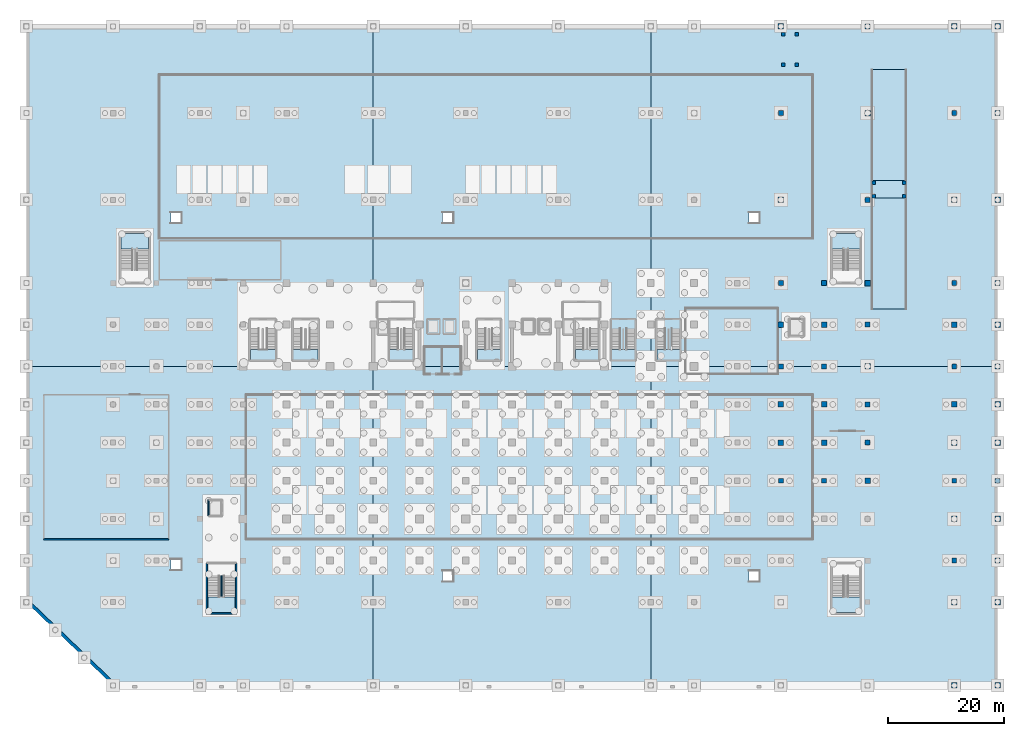
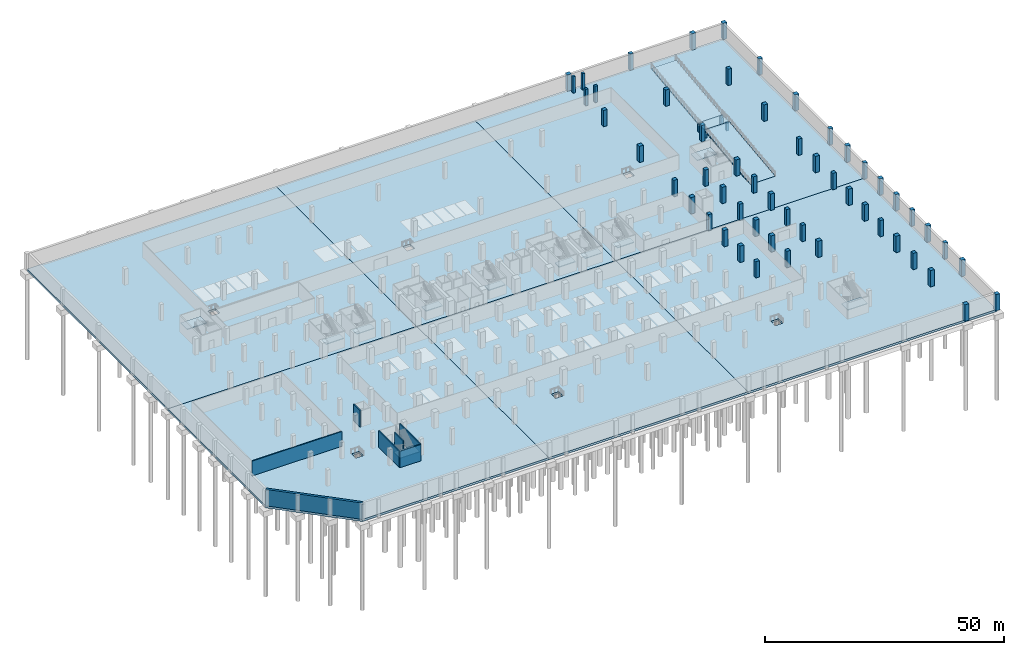
# One storey, part 6 of 26: 58 columns, 20 slabs, 7 walls, 11 elements without a shape of their own.
"""IFC4 building model written with IfcOpenShell, lengths in metres."""

from ifc_helpers import new_model, si_unit, direction, frame, frame_2d, origin, origin_2d, place, context, subcontext, project, spatial, polyline, rectangle, outline, extrude, material, layer, layer_set, material_profile, profile_set, type_object, element, aggregate, save


model = new_model("IFC4")

# Units and contexts
model_context = context("Model", 3, precision=1e-05, world=origin(), true_north=direction((0.0, 1.0)))
body_context = subcontext(model_context, "Body", "Model", "MODEL_VIEW")
ifc_project = project(units=[si_unit("LENGTHUNIT", "METRE"), si_unit("AREAUNIT", "SQUARE_METRE"), si_unit("VOLUMEUNIT", "CUBIC_METRE"), si_unit("PLANEANGLEUNIT", "RADIAN"), si_unit("MASSUNIT", "GRAM", prefix="KILO")], contexts=[model_context])

# Site, building, storey
site_placement = place(None, origin())
site = spatial("IfcSite", under=ifc_project, at=site_placement, CompositionType="ELEMENT")
building_placement = place(site_placement, origin())
building = spatial("IfcBuilding", under=site, at=building_placement, Name="Akrevak Sports Hall", CompositionType="ELEMENT")
storey_placement = place(building_placement, frame((0.0, 0.0, -9.0)))
storey = spatial("IfcBuildingStorey", under=building, at=storey_placement, Name="B02", CompositionType="ELEMENT", Elevation=-9.0)

# Columns
ifc_material_1 = material(Name="Concrete C40/50", Category="concrete")
ifc_material_profile_1 = material_profile(ifc_material_1, rectangle(XDim=0.60009765625, YDim=0.60009765625, at=origin_2d()), Name="RC 600x600", Category="concrete")
ifc_profile_set_1 = profile_set([ifc_material_profile_1], Name="Concrete C40/50")
column_type_1 = type_object("IfcColumnType", Name="STR-COL-RC600", PredefinedType="COLUMN", material=ifc_profile_set_1)
for number, where, z_axis, x_axis, name in (
    (1, (146.550048828125, 84.64990234375, 0.0), (0.0, 0.0, 1.0), (1.0, 0.0, 0.0), "Ramp R1 Mid-Landing Pier 1 (B02)"),
    (2, (151.85009765625, 84.64990234375, 0.0), (0.0, 0.0, 1.0), (1.0, 0.0, 0.0), "Ramp R1 Mid-Landing Pier 2 (B02)"),
    (3, (146.550048828125, 86.949951171875, 0.0), (0.0, 0.0, 1.0), (1.0, 0.0, 0.0), "Ramp R1 Mid-Landing Pier 3 (B02)"),
    (4, (151.85009765625, 86.949951171875, 0.0), (0.0, 0.0, 1.0), (1.0, 0.0, 0.0), "Ramp R1 Mid-Landing Pier 4 (B02)"),
):
    element("IfcColumn", number, at=place(storey_placement, frame(where, z_axis=z_axis, x_axis=x_axis)), inside=storey, type_object=column_type_1, Name=name, PredefinedType="COLUMN", context=body_context, shape_type="SweptSolid", body=[
        extrude(rectangle(XDim=0.60009765625, YDim=0.60009765625, at=origin_2d()), origin(), (0.0, 0.0, 1.0), 1.969970703125),
    ])
for number, where, z_axis, x_axis, name in (
    (5, (130.949951171875, 107.35009765625, 0.0), (0.0, 0.0, 1.0), (1.0, 0.0, 0.0), "Ramp R2 Support Pier 1 (B02)"),
    (6, (133.25, 107.35009765625, 0.0), (0.0, 0.0, 1.0), (1.0, 0.0, 0.0), "Ramp R2 Support Pier 2 (B02)"),
    (7, (130.949951171875, 112.64990234375, 0.0), (0.0, 0.0, 1.0), (1.0, 0.0, 0.0), "Ramp R2 Support Pier 3 (B02)"),
    (8, (133.25, 112.64990234375, 0.0), (0.0, 0.0, 1.0), (1.0, 0.0, 0.0), "Ramp R2 Support Pier 4 (B02)"),
):
    element("IfcColumn", number, at=place(storey_placement, frame(where, z_axis=z_axis, x_axis=x_axis)), inside=storey, type_object=column_type_1, Name=name, PredefinedType="COLUMN", context=body_context, shape_type="SweptSolid", body=[
        extrude(rectangle(XDim=0.60009765625, YDim=0.60009765625, at=origin_2d()), origin(), (0.0, 0.0, 1.0), 4.179931640625),
    ])
ifc_material_profile_2 = material_profile(ifc_material_1, rectangle(XDim=0.85009765625, YDim=0.85009765625, at=origin_2d()), Name="RC 850x850", Category="concrete")
ifc_profile_set_2 = profile_set([ifc_material_profile_2], Name="Concrete C40/50")
column_type_2 = type_object("IfcColumnType", Name="STR-COL-RC850", PredefinedType="COLUMN", material=ifc_profile_set_2)
for number, where, z_axis, x_axis, name in (
    (9, (130.5, 35.39990234375, 0.0), (0.0, 0.0, 1.0), (1.0, 0.0, 0.0), "Column 18/F (B02)"),
    (10, (130.5, 55.199951171875, 0.0), (0.0, 0.0, 1.0), (1.0, 0.0, 0.0), "Column 18/I (B02)"),
    (11, (130.5, 69.60009765625, 0.0), (0.0, 0.0, 1.0), (1.0, 0.0, 0.0), "Column 18/K (B02)"),
    (12, (130.5, 99.0, 0.0), (0.0, 0.0, 1.0), (1.0, 0.0, 0.0), "Column 18/O (B02)"),
    (13, (138.0, 35.39990234375, 0.0), (0.0, 0.0, 1.0), (1.0, 0.0, 0.0), "Column 19/F (B02)"),
    (14, (138.0, 55.199951171875, 0.0), (0.0, 0.0, 1.0), (1.0, 0.0, 0.0), "Column 19/I (B02)"),
    (15, (138.0, 69.60009765625, 0.0), (0.0, 0.0, 1.0), (1.0, 0.0, 0.0), "Column 19/K (B02)"),
    (16, (145.5, 42.0, 0.0), (0.0, 0.0, 1.0), (1.0, 0.0, 0.0), "Column 20/G (B02)"),
    (17, (145.5, 48.60009765625, 0.0), (0.0, 0.0, 1.0), (1.0, 0.0, 0.0), "Column 20/H (B02)"),
    (18, (145.5, 62.39990234375, 0.0), (0.0, 0.0, 1.0), (1.0, 0.0, 0.0), "Column 20/J (B02)"),
    (19, (145.5, 84.0, 0.0), (0.0, 0.0, 1.0), (1.0, 0.0, 0.0), "Column 20/M (B02)"),
    (20, (145.5, 114.0, 0.0), (0.0, 0.0, 1.0), (1.0, 0.0, 0.0), "Column 20/Q (B02)"),
    (21, (160.5, 21.60009765625, 0.0), (0.0, 0.0, 1.0), (1.0, 0.0, 0.0), "Column 22/D (B02)"),
    (22, (160.5, 35.39990234375, 0.0), (0.0, 0.0, 1.0), (1.0, 0.0, 0.0), "Column 22/F (B02)"),
    (23, (160.5, 55.199951171875, 0.0), (0.0, 0.0, 1.0), (1.0, 0.0, 0.0), "Column 22/I (B02)"),
    (24, (160.5, 69.60009765625, 0.0), (0.0, 0.0, 1.0), (1.0, 0.0, 0.0), "Column 22/K (B02)"),
    (25, (160.5, 99.0, 0.0), (0.0, 0.0, 1.0), (1.0, 0.0, 0.0), "Column 22/O (B02)"),
    (26, (168.0, 21.60009765625, 0.0), (0.0, 0.0, 1.0), (1.0, 0.0, 0.0), "Column 23/D (B02)"),
    (27, (168.0, 35.39990234375, 0.0), (0.0, 0.0, 1.0), (1.0, 0.0, 0.0), "Column 23/F (B02)"),
    (28, (168.0, 55.199951171875, 0.0), (0.0, 0.0, 1.0), (1.0, 0.0, 0.0), "Column 23/I (B02)"),
    (29, (168.0, 69.60009765625, 0.0), (0.0, 0.0, 1.0), (1.0, 0.0, 0.0), "Column 23/K (B02)"),
    (30, (168.0, 99.0, 0.0), (0.0, 0.0, 1.0), (1.0, 0.0, 0.0), "Column 23/O (B02)"),
):
    element("IfcColumn", number, at=place(storey_placement, frame(where, z_axis=z_axis, x_axis=x_axis)), inside=storey, type_object=column_type_2, Name=name, PredefinedType="COLUMN", context=body_context, shape_type="SweptSolid", body=[
        extrude(rectangle(XDim=0.85009765625, YDim=0.85009765625, at=origin_2d()), origin(), (0.0, 0.0, 1.0), 4.179931640625),
    ])
ifc_material_2 = material(Name="Concrete C50/60", Category="concrete")
ifc_material_profile_3 = material_profile(ifc_material_2, rectangle(XDim=0.949951171875, YDim=0.949951171875, at=origin_2d()), Name="RC 950x950", Category="concrete")
ifc_profile_set_3 = profile_set([ifc_material_profile_3], Name="Concrete C50/60")
column_type_3 = type_object("IfcColumnType", Name="STR-COL-RC950", PredefinedType="COLUMN", material=ifc_profile_set_3)
for number, where, z_axis, x_axis, name in (
    (31, (130.5, 42.0, 0.0), (0.0, 0.0, 1.0), (1.0, 0.0, 0.0), "Column 18/G (B02)"),
    (32, (130.5, 48.60009765625, 0.0), (0.0, 0.0, 1.0), (1.0, 0.0, 0.0), "Column 18/H (B02)"),
    (33, (130.5, 62.39990234375, 0.0), (0.0, 0.0, 1.0), (1.0, 0.0, 0.0), "Column 18/J (B02)"),
    (34, (130.5, 84.0, 0.0), (0.0, 0.0, 1.0), (1.0, 0.0, 0.0), "Column 18/M (B02)"),
    (35, (130.5, 114.0, 0.0), (0.0, 0.0, 1.0), (1.0, 0.0, 0.0), "Column 18/Q (B02)"),
    (36, (138.0, 42.0, 0.0), (0.0, 0.0, 1.0), (1.0, 0.0, 0.0), "Column 19/G (B02)"),
    (37, (138.0, 48.60009765625, 0.0), (0.0, 0.0, 1.0), (1.0, 0.0, 0.0), "Column 19/H (B02)"),
    (38, (138.0, 62.39990234375, 0.0), (0.0, 0.0, 1.0), (1.0, 0.0, 0.0), "Column 19/J (B02)"),
    (39, (145.5, 35.39990234375, 0.0), (0.0, 0.0, 1.0), (1.0, 0.0, 0.0), "Column 20/F (B02)"),
    (40, (145.5, 55.199951171875, 0.0), (0.0, 0.0, 1.0), (1.0, 0.0, 0.0), "Column 20/I (B02)"),
    (41, (145.5, 69.60009765625, 0.0), (0.0, 0.0, 1.0), (1.0, 0.0, 0.0), "Column 20/K (B02)"),
    (42, (145.5, 99.0, 0.0), (0.0, 0.0, 1.0), (1.0, 0.0, 0.0), "Column 20/O (B02)"),
    (43, (160.5, 0.0, 0.0), (0.0, 0.0, 1.0), (1.0, 0.0, 0.0), "Column 22/A (B02)"),
    (44, (160.5, 14.39990234375, 0.0), (0.0, 0.0, 1.0), (1.0, 0.0, 0.0), "Column 22/C (B02)"),
    (45, (160.5, 28.800048828125, 0.0), (0.0, 0.0, 1.0), (1.0, 0.0, 0.0), "Column 22/E (B02)"),
    (46, (160.5, 42.0, 0.0), (0.0, 0.0, 1.0), (1.0, 0.0, 0.0), "Column 22/G (B02)"),
    (47, (160.5, 48.60009765625, 0.0), (0.0, 0.0, 1.0), (1.0, 0.0, 0.0), "Column 22/H (B02)"),
    (48, (160.5, 62.39990234375, 0.0), (0.0, 0.0, 1.0), (1.0, 0.0, 0.0), "Column 22/J (B02)"),
    (49, (160.5, 84.0, 0.0), (0.0, 0.0, 1.0), (1.0, 0.0, 0.0), "Column 22/M (B02)"),
    (50, (160.5, 114.0, 0.0), (0.0, 0.0, 1.0), (1.0, 0.0, 0.0), "Column 22/Q (B02)"),
    (51, (168.0, 0.0, 0.0), (0.0, 0.0, 1.0), (1.0, 0.0, 0.0), "Column 23/A (B02)"),
    (52, (168.0, 14.39990234375, 0.0), (0.0, 0.0, 1.0), (1.0, 0.0, 0.0), "Column 23/C (B02)"),
    (53, (168.0, 28.800048828125, 0.0), (0.0, 0.0, 1.0), (1.0, 0.0, 0.0), "Column 23/E (B02)"),
    (54, (168.0, 42.0, 0.0), (0.0, 0.0, 1.0), (1.0, 0.0, 0.0), "Column 23/G (B02)"),
    (55, (168.0, 48.60009765625, 0.0), (0.0, 0.0, 1.0), (1.0, 0.0, 0.0), "Column 23/H (B02)"),
    (56, (168.0, 62.39990234375, 0.0), (0.0, 0.0, 1.0), (1.0, 0.0, 0.0), "Column 23/J (B02)"),
    (57, (168.0, 84.0, 0.0), (0.0, 0.0, 1.0), (1.0, 0.0, 0.0), "Column 23/M (B02)"),
    (58, (168.0, 114.0, 0.0), (0.0, 0.0, 1.0), (1.0, 0.0, 0.0), "Column 23/Q (B02)"),
):
    element("IfcColumn", number, at=place(storey_placement, frame(where, z_axis=z_axis, x_axis=x_axis)), inside=storey, type_object=column_type_3, Name=name, PredefinedType="COLUMN", context=body_context, shape_type="SweptSolid", body=[
        extrude(rectangle(XDim=0.949951171875, YDim=0.949951171875, at=origin_2d()), origin(), (0.0, 0.0, 1.0), 4.179931640625),
    ])

# Slabs
ifc_layer_1 = layer(ifc_material_1, 0.550048828125, Name="Concrete C40/50")
ifc_layer_set_1 = layer_set([ifc_layer_1], Name="Concrete C40/50")
slab_type_1 = type_object("IfcSlabType", Name="STR-SLB-BASE-550", PredefinedType="BASESLAB", material=ifc_layer_set_1)
slab_1_placement = place(storey_placement, frame((0.0, 0.0, -0.550048828125)))
element("IfcSlab", 59, at=slab_1_placement, inside=storey, type_object=slab_type_1, Name="Structural Floor Slab B02-1.1", PredefinedType="BASESLAB", context=body_context, shape_type="SweptSolid", body=[
    extrude(outline(polyline([(0.0, 14.39990234375), (15.0, 0.0), (60.0, 0.0), (60.0, 55.199951171875), (0.0, 55.199951171875), (0.0, 14.39990234375)]), holes=[polyline([(25.0, 21.800048828125), (26.800048828125, 21.800048828125), (26.800048828125, 20.0), (25.0, 20.0), (25.0, 21.800048828125)])]), origin(), (0.0, 0.0, 1.0), 0.550048828125),
])
slab_2_placement = place(storey_placement, frame((0.0, 0.0, -0.550048828125)))
element("IfcSlab", 60, at=slab_2_placement, inside=storey, type_object=slab_type_1, Name="Structural Floor Slab B02-2.1", PredefinedType="BASESLAB", context=body_context, shape_type="SweptSolid", body=[
    extrude(outline(polyline([(0.0, 55.199951171875), (60.0, 55.199951171875), (60.0, 114.0), (0.0, 114.0), (0.0, 55.199951171875)]), holes=[polyline([(25.0, 80.0), (25.0, 81.800048828125), (26.800048828125, 81.800048828125), (26.800048828125, 80.0), (25.0, 80.0)])]), origin(), (0.0, 0.0, 1.0), 0.550048828125),
])
slab_3_placement = place(storey_placement, frame((0.0, 0.0, -0.550048828125)))
element("IfcSlab", 61, at=slab_3_placement, inside=storey, type_object=slab_type_1, Name="Structural Floor Slab B02-3.1", PredefinedType="BASESLAB", context=body_context, shape_type="SweptSolid", body=[
    extrude(outline(polyline([(108.0, 0.0), (108.0, 55.199951171875), (60.0, 55.199951171875), (60.0, 0.0), (108.0, 0.0)]), holes=[polyline([(72.0, 18.0), (72.0, 19.800048828125), (73.800048828125, 19.800048828125), (73.800048828125, 18.0), (72.0, 18.0)])]), origin(), (0.0, 0.0, 1.0), 0.550048828125),
])
slab_4_placement = place(storey_placement, frame((0.0, 0.0, -0.550048828125)))
element("IfcSlab", 62, at=slab_4_placement, inside=storey, type_object=slab_type_1, Name="Structural Floor Slab B02-4.1", PredefinedType="BASESLAB", context=body_context, shape_type="SweptSolid", body=[
    extrude(outline(polyline([(60.0, 114.0), (60.0, 55.199951171875), (108.0, 55.199951171875), (108.0, 114.0), (60.0, 114.0)]), holes=[polyline([(72.0, 81.800048828125), (73.800048828125, 81.800048828125), (73.800048828125, 80.0), (72.0, 80.0), (72.0, 81.800048828125)])]), origin(), (0.0, 0.0, 1.0), 0.550048828125),
])
slab_5_placement = place(storey_placement, frame((0.0, 0.0, -0.550048828125)))
element("IfcSlab", 63, at=slab_5_placement, inside=storey, type_object=slab_type_1, Name="Structural Floor Slab B02-5.1", PredefinedType="BASESLAB", context=body_context, shape_type="SweptSolid", body=[
    extrude(outline(polyline([(168.0, 55.199951171875), (108.0, 55.199951171875), (108.0, 0.0), (168.0, 0.0), (168.0, 55.199951171875)]), holes=[polyline([(125.0, 19.800048828125), (126.800048828125, 19.800048828125), (126.800048828125, 18.0), (125.0, 18.0), (125.0, 19.800048828125)])]), origin(), (0.0, 0.0, 1.0), 0.550048828125),
])
slab_6_placement = place(storey_placement, frame((0.0, 0.0, -0.550048828125)))
element("IfcSlab", 64, at=slab_6_placement, inside=storey, type_object=slab_type_1, Name="Structural Floor Slab B02-6.1", PredefinedType="BASESLAB", context=body_context, shape_type="SweptSolid", body=[
    extrude(outline(polyline([(108.0, 114.0), (108.0, 55.199951171875), (168.0, 55.199951171875), (168.0, 114.0), (108.0, 114.0)]), holes=[polyline([(125.0, 81.800048828125), (126.800048828125, 81.800048828125), (126.800048828125, 80.0), (125.0, 80.0), (125.0, 81.800048828125)])]), origin(), (0.0, 0.0, 1.0), 0.550048828125),
])

# Stair, slab
stair_type_1 = type_object("IfcStairType", Name="ARC-STR-DOG-450", PredefinedType="HALF_TURN_STAIR", material=ifc_material_1)
stair_1_placement = place(storey_placement, origin())
stair_1 = element("IfcStair", 65, at=stair_1_placement, inside=storey, type_object=stair_type_1, Name="Protected Exit Stair ST1 (B02 to B01)", PredefinedType="HALF_TURN_STAIR")
ifc_layer_2 = layer(ifc_material_1, 0.199951171875, Name="Concrete C40/50")
ifc_layer_set_2 = layer_set([ifc_layer_2], Name="Concrete C40/50")
slab_type_2 = type_object("IfcSlabType", Name="STR-SLB-LAND-200", PredefinedType="LANDING", material=ifc_layer_set_2)
slab_7_placement = place(storey_placement, frame((0.0, 0.0, 2.050048828125)))
slab_7 = element("IfcSlab", 66, at=slab_7_placement, type_object=slab_type_2, Name="Stair ST1 Half-Landing 1 (B02)", PredefinedType="LANDING", context=body_context, shape_type="SweptSolid", body=[
    extrude(outline(polyline([(62.85009765625, 56.300048828125), (66.85009765625, 56.300048828125), (66.85009765625, 58.094970703125), (62.85009765625, 58.094970703125), (62.85009765625, 56.300048828125)])), origin(), (0.0, 0.0, 1.0), 0.199951171875),
])
aggregate(stair_1, [slab_7])

stair_2_placement = place(storey_placement, origin())
stair_2 = element("IfcStair", 67, at=stair_2_placement, inside=storey, type_object=stair_type_1, Name="Protected Exit Stair ST2 (B02 to B01)", PredefinedType="HALF_TURN_STAIR")
slab_8_placement = place(storey_placement, frame((0.0, 0.0, 2.050048828125)))
slab_8 = element("IfcSlab", 68, at=slab_8_placement, type_object=slab_type_2, Name="Stair ST2 Half-Landing 1 (B02)", PredefinedType="LANDING", context=body_context, shape_type="SweptSolid", body=[
    extrude(outline(polyline([(94.949951171875, 56.300048828125), (98.949951171875, 56.300048828125), (98.949951171875, 58.094970703125), (94.949951171875, 58.094970703125), (94.949951171875, 56.300048828125)])), origin(), (0.0, 0.0, 1.0), 0.199951171875),
])
aggregate(stair_2, [slab_8])

stair_3_placement = place(storey_placement, origin())
stair_3 = element("IfcStair", 69, at=stair_3_placement, inside=storey, type_object=stair_type_1, Name="Protected Exit Stair ST3 (B02 to B01)", PredefinedType="HALF_TURN_STAIR")
slab_9_placement = place(storey_placement, frame((0.0, 0.0, 2.050048828125)))
slab_9 = element("IfcSlab", 70, at=slab_9_placement, type_object=slab_type_2, Name="Stair ST3 Half-Landing 1 (B02)", PredefinedType="LANDING", context=body_context, shape_type="SweptSolid", body=[
    extrude(outline(polyline([(78.0, 56.300048828125), (82.0, 56.300048828125), (82.0, 58.094970703125), (78.0, 58.094970703125), (78.0, 56.300048828125)])), origin(), (0.0, 0.0, 1.0), 0.199951171875),
])
aggregate(stair_3, [slab_9])

stair_type_2 = type_object("IfcStairType", Name="ARC-STR-MDOG-450", PredefinedType="HALF_TURN_STAIR", material=ifc_material_1)
stair_4_placement = place(storey_placement, origin())
stair_4 = element("IfcStair", 71, at=stair_4_placement, inside=storey, type_object=stair_type_2, Name="Protected Exit Stair ST4 (B02 to B01)", PredefinedType="HALF_TURN_STAIR")
slab_10_placement = place(storey_placement, frame((0.0, 0.0, 2.050048828125)))
slab_10 = element("IfcSlab", 72, at=slab_10_placement, type_object=slab_type_2, Name="Stair ST4 Half-Landing 1 (B02)", PredefinedType="LANDING", context=body_context, shape_type="SweptSolid", body=[
    extrude(outline(polyline([(46.14990234375, 56.300048828125), (50.449951171875, 56.300048828125), (50.449951171875, 58.094970703125), (46.14990234375, 58.094970703125), (46.14990234375, 56.300048828125)])), origin(), (0.0, 0.0, 1.0), 0.199951171875),
])
aggregate(stair_4, [slab_10])

stair_type_3 = type_object("IfcStairType", Name="ARC-STR-PDOG-450", PredefinedType="HALF_TURN_STAIR", material=ifc_material_1)
stair_5_placement = place(storey_placement, origin())
stair_5 = element("IfcStair", 73, at=stair_5_placement, inside=storey, type_object=stair_type_3, Name="Podium SW Exit Stair ST5 (B02 to B01)", PredefinedType="HALF_TURN_STAIR")
slab_11_placement = place(storey_placement, frame((0.0, 0.0, 2.050048828125)))
slab_11 = element("IfcSlab", 74, at=slab_11_placement, type_object=slab_type_2, Name="Stair ST5 Half-Landing 1 (B02)", PredefinedType="LANDING", context=body_context, shape_type="SweptSolid", body=[
    extrude(outline(polyline([(31.35009765625, 12.60009765625), (36.14990234375, 12.60009765625), (36.14990234375, 15.31005859375), (31.35009765625, 15.31005859375), (31.35009765625, 12.60009765625)])), origin(), (0.0, 0.0, 1.0), 0.199951171875),
])
aggregate(stair_5, [slab_11])

stair_6_placement = place(storey_placement, origin())
stair_6 = element("IfcStair", 75, at=stair_6_placement, inside=storey, type_object=stair_type_3, Name="Podium NW Exit Stair ST6 (B02 to B01)", PredefinedType="HALF_TURN_STAIR")
slab_12_placement = place(storey_placement, frame((0.0, 0.0, 2.050048828125)))
slab_12 = element("IfcSlab", 76, at=slab_12_placement, type_object=slab_type_2, Name="Stair ST6 Half-Landing 1 (B02)", PredefinedType="LANDING", context=body_context, shape_type="SweptSolid", body=[
    extrude(outline(polyline([(16.35009765625, 75.489990234375), (21.14990234375, 75.489990234375), (21.14990234375, 78.199951171875), (16.35009765625, 78.199951171875), (16.35009765625, 75.489990234375)])), origin(), (0.0, 0.0, 1.0), 0.199951171875),
])
aggregate(stair_6, [slab_12])

stair_7_placement = place(storey_placement, origin())
stair_7 = element("IfcStair", 77, at=stair_7_placement, inside=storey, type_object=stair_type_3, Name="Podium SE Exit Stair ST7 (B02 to B01)", PredefinedType="HALF_TURN_STAIR")
slab_13_placement = place(storey_placement, frame((0.0, 0.0, 2.050048828125)))
slab_13 = element("IfcSlab", 78, at=slab_13_placement, type_object=slab_type_2, Name="Stair ST7 Half-Landing 1 (B02)", PredefinedType="LANDING", context=body_context, shape_type="SweptSolid", body=[
    extrude(outline(polyline([(139.35009765625, 12.60009765625), (144.14990234375, 12.60009765625), (144.14990234375, 15.31005859375), (139.35009765625, 15.31005859375), (139.35009765625, 12.60009765625)])), origin(), (0.0, 0.0, 1.0), 0.199951171875),
])
aggregate(stair_7, [slab_13])

stair_8_placement = place(storey_placement, origin())
stair_8 = element("IfcStair", 79, at=stair_8_placement, inside=storey, type_object=stair_type_3, Name="Podium NE Exit Stair ST8 (B02 to B01)", PredefinedType="HALF_TURN_STAIR")
slab_14_placement = place(storey_placement, frame((0.0, 0.0, 2.050048828125)))
slab_14 = element("IfcSlab", 80, at=slab_14_placement, type_object=slab_type_2, Name="Stair ST8 Half-Landing 1 (B02)", PredefinedType="LANDING", context=body_context, shape_type="SweptSolid", body=[
    extrude(outline(polyline([(139.35009765625, 75.489990234375), (144.14990234375, 75.489990234375), (144.14990234375, 78.199951171875), (139.35009765625, 78.199951171875), (139.35009765625, 75.489990234375)])), origin(), (0.0, 0.0, 1.0), 0.199951171875),
])
aggregate(stair_8, [slab_14])

stair_9_placement = place(storey_placement, origin())
stair_9 = element("IfcStair", 81, at=stair_9_placement, inside=storey, type_object=stair_type_2, Name="Transfer West Exit Stair ST9 (B02 to B01)", PredefinedType="HALF_TURN_STAIR")
slab_15_placement = place(storey_placement, frame((0.0, 0.0, 2.050048828125)))
slab_15 = element("IfcSlab", 82, at=slab_15_placement, type_object=slab_type_2, Name="Stair ST9 Half-Landing 1 (B02)", PredefinedType="LANDING", context=body_context, shape_type="SweptSolid", body=[
    extrude(outline(polyline([(38.75, 56.300048828125), (43.050048828125, 56.300048828125), (43.050048828125, 58.094970703125), (38.75, 58.094970703125), (38.75, 56.300048828125)])), origin(), (0.0, 0.0, 1.0), 0.199951171875),
])
aggregate(stair_9, [slab_15])

stair_10_placement = place(storey_placement, origin())
stair_10 = element("IfcStair", 83, at=stair_10_placement, inside=storey, type_object=stair_type_1, Name="East Wing Exit Stair ST10 (B02 to B01)", PredefinedType="HALF_TURN_STAIR")
slab_16_placement = place(storey_placement, frame((0.0, 0.0, 2.050048828125)))
slab_16 = element("IfcSlab", 84, at=slab_16_placement, type_object=slab_type_2, Name="Stair ST10 Half-Landing 1 (B02)", PredefinedType="LANDING", context=body_context, shape_type="SweptSolid", body=[
    extrude(outline(polyline([(101.25, 56.300048828125), (105.25, 56.300048828125), (105.25, 58.094970703125), (101.25, 58.094970703125), (101.25, 56.300048828125)])), origin(), (0.0, 0.0, 1.0), 0.199951171875),
])
aggregate(stair_10, [slab_16])

stair_11_placement = place(storey_placement, origin())
stair_11 = element("IfcStair", 85, at=stair_11_placement, inside=storey, type_object=stair_type_1, Name="East Transfer Exit Stair ST11 (B02 to B01)", PredefinedType="HALF_TURN_STAIR")
slab_17_placement = place(storey_placement, frame((0.0, 0.0, 2.050048828125)))
slab_17 = element("IfcSlab", 86, at=slab_17_placement, type_object=slab_type_2, Name="Stair ST11 Half-Landing 1 (B02)", PredefinedType="LANDING", context=body_context, shape_type="SweptSolid", body=[
    extrude(outline(polyline([(109.050048828125, 56.300048828125), (113.050048828125, 56.300048828125), (113.050048828125, 58.094970703125), (109.050048828125, 58.094970703125), (109.050048828125, 56.300048828125)])), origin(), (0.0, 0.0, 1.0), 0.199951171875),
])
aggregate(stair_11, [slab_17])

# Slabs
ifc_layer_3 = layer(ifc_material_1, 0.280029296875, Name="Concrete C40/50")
ifc_layer_set_3 = layer_set([ifc_layer_3], Name="Concrete C40/50")
slab_type_3 = type_object("IfcSlabType", Name="STR-SLB-RMP-LAND", PredefinedType="LANDING", material=ifc_layer_set_3)
slab_18_placement = place(storey_placement, frame((0.0, 0.0, 1.969970703125)))
element("IfcSlab", 87, at=slab_18_placement, inside=storey, type_object=slab_type_3, Name="Car park vehicle ramp R1 mid landing", PredefinedType="LANDING", context=body_context, shape_type="SweptSolid", body=[
    extrude(outline(polyline([(146.199951171875, 84.300048828125), (152.199951171875, 84.300048828125), (152.199951171875, 87.300048828125), (146.199951171875, 87.300048828125), (146.199951171875, 84.300048828125)])), origin(), (0.0, 0.0, 1.0), 0.280029296875),
])
ifc_layer_4 = layer(ifc_material_1, 0.300048828125, Name="Concrete C40/50")
ifc_layer_set_4 = layer_set([ifc_layer_4], Name="Concrete C40/50")
slab_type_4 = type_object("IfcSlabType", Name="STR-SLB-RMP-R1", PredefinedType="USERDEFINED", material=ifc_layer_set_4)
slab_19_placement = place(storey_placement, frame((149.199951171875, 65.10009765625, 0.0), z_axis=(0.0, 0.0, 1.0), x_axis=(0.0, 1.0, 0.0)))
element("IfcSlab", 88, at=slab_19_placement, inside=storey, type_object=slab_type_4, Name="Car park vehicle ramp R1 lower flight", ObjectType="VEHICLE RAMP SLAB", PredefinedType="USERDEFINED", context=body_context, shape_type="SweptSolid", body=[
    extrude(outline(polyline([(0.0, 0.0), (19.2998046875, 2.25), (19.2998046875, 1.949951171875), (0.0, -0.300048828125), (0.0, 0.0)])), frame((0.0, 3.0, 0.0), z_axis=(0.0, -1.0, 0.0), x_axis=(1.0, 0.0, 0.0)), (0.0, 0.0, 1.0), 6.0),
])
slab_20_placement = place(storey_placement, frame((149.199951171875, 87.199951171875, 2.25), z_axis=(0.0, 0.0, 1.0), x_axis=(0.0, 1.0, 0.0)))
element("IfcSlab", 89, at=slab_20_placement, inside=storey, type_object=slab_type_4, Name="Car park vehicle ramp R1 upper flight", ObjectType="VEHICLE RAMP SLAB", PredefinedType="USERDEFINED", context=body_context, shape_type="SweptSolid", body=[
    extrude(outline(polyline([(0.0, 0.0), (19.300048828125, 2.25), (19.300048828125, 1.949951171875), (0.0, -0.300048828125), (0.0, 0.0)])), frame((0.0, 3.0, 0.0), z_axis=(0.0, -1.0, 0.0), x_axis=(1.0, 0.0, 0.0)), (0.0, 0.0, 1.0), 6.0),
])

# Walls
ifc_material_3 = material(Name="Autoclaved Aerated Masonry Block", Category="masonry")
ifc_layer_5 = layer(ifc_material_3, 0.199951171875, Name="Autoclaved Aerated Masonry Block")
ifc_layer_set_5 = layer_set([ifc_layer_5], Name="Autoclaved Aerated Masonry Block")
wall_type_1 = type_object("IfcWallType", Name="ARC-WL-PRT-200", PredefinedType="PARTITIONING", material=ifc_layer_set_5)
wall_1_placement = place(storey_placement, frame((3.0, 25.300048828125, 0.0), z_axis=(0.0, 0.0, 1.0), x_axis=(1.0, 0.0, 0.0)))
element("IfcWall", 90, at=wall_1_placement, inside=storey, type_object=wall_type_1, Name="Interior Partition Central Mechanical & Chiller Plant B02 (S)", PredefinedType="PARTITIONING", context=body_context, shape_type="SweptSolid", body=[
    extrude(rectangle(XDim=21.60009765625, YDim=0.199951171875, at=frame_2d((10.800048828125, 0.0))), origin(), (0.0, 0.0, 1.0), 3.780029296875),
])
ifc_layer_6 = layer(ifc_material_1, 0.219970703125, Name="Concrete C40/50")
ifc_layer_set_6 = layer_set([ifc_layer_6], Name="Concrete C40/50")
wall_type_2 = type_object("IfcWallType", Name="ARC-WL-PRT-220", PredefinedType="PARTITIONING", material=ifc_layer_set_6)
wall_2_placement = place(storey_placement, frame((33.75, 15.31005859375, 0.0), z_axis=(0.0, 0.0, 1.0), x_axis=(0.0, 1.0, 0.0)))
element("IfcWall", 91, at=wall_2_placement, inside=storey, type_object=wall_type_2, Name="Stair ST5 Central Spine Wall (B02)", PredefinedType="PARTITIONING", context=body_context, shape_type="SweptSolid", body=[
    extrude(rectangle(XDim=3.639892578125, YDim=0.219970703125, at=frame_2d((1.81982421875, 0.0))), origin(), (0.0, 0.0, 1.0), 4.179931640625),
])
ifc_layer_7 = layer(ifc_material_2, 0.219970703125, Name="Concrete C50/60")
ifc_layer_set_7 = layer_set([ifc_layer_7], Name="Concrete C50/60")
wall_type_3 = type_object("IfcWallType", Name="ARC-WL-SHAFT-220", PredefinedType="SHEAR", material=ifc_layer_set_7)
wall_3_placement = place(storey_placement, frame((31.510009765625, 32.090087890625, 0.0), z_axis=(0.0, 0.0, 1.0), x_axis=(0.0, -1.0, 0.0)))
element("IfcWall", 92, at=wall_3_placement, inside=storey, type_object=wall_type_3, Name="Lift Shaft LF-G1 Wall W (B02)", PredefinedType="SHEAR", context=body_context, shape_type="SweptSolid", body=[
    extrude(rectangle(XDim=2.780029296875, YDim=0.219970703125, at=frame_2d((1.39013671875, 0.0))), origin(), (0.0, 0.0, 1.0), 4.179931640625),
])
ifc_layer_8 = layer(ifc_material_1, 0.550048828125, Name="Concrete C40/50")
ifc_layer_set_8 = layer_set([ifc_layer_8], Name="Concrete C40/50")
wall_type_4 = type_object("IfcWallType", Name="STR-WL-RET-550", PredefinedType="SOLIDWALL", material=ifc_layer_set_8)
wall_4_placement = place(storey_placement, frame((0.1904296875, 14.598388671875, 0.0), z_axis=(0.0, 0.0, 1.0), x_axis=(0.721389667345, -0.692529384104, 0.0)))
element("IfcWall", 93, at=wall_4_placement, inside=storey, type_object=wall_type_4, Name="Basement Retaining Wall B02-5", PredefinedType="SOLIDWALL", context=body_context, shape_type="SweptSolid", body=[
    extrude(rectangle(XDim=20.793212890625, YDim=0.550048828125, at=frame_2d((10.396484375, 0.0))), origin(), (0.0, 0.0, 1.0), 4.179931640625),
])
ifc_layer_9 = layer(ifc_material_2, 0.25, Name="Concrete C50/60")
ifc_layer_set_9 = layer_set([ifc_layer_9], Name="Concrete C50/60")
wall_type_5 = type_object("IfcWallType", Name="STR-WL-STAIR-250", PredefinedType="SHEAR", material=ifc_layer_set_9)
wall_5_placement = place(storey_placement, frame((31.22509765625, 12.47509765625, 0.0), z_axis=(0.0, 0.0, 1.0), x_axis=(1.0, 0.0, 0.0)))
element("IfcWall", 94, at=wall_5_placement, inside=storey, type_object=wall_type_5, Name="Stair Core ST5 Shear Wall S (B02)", PredefinedType="SHEAR", context=body_context, shape_type="SweptSolid", body=[
    extrude(rectangle(XDim=5.0498046875, YDim=0.25, at=frame_2d((2.52490234375, 0.0))), origin(), (0.0, 0.0, 1.0), 4.179931640625),
])
for number, where, z_axis, x_axis, name in (
    (95, (31.22509765625, 21.175048828125, 0.0), (0.0, 0.0, 1.0), (0.0, -1.0, 0.0), "Stair Core ST5 Shear Wall W (B02)"),
    (96, (36.27490234375, 12.47509765625, 0.0), (0.0, 0.0, 1.0), (0.0, 1.0, 0.0), "Stair Core ST5 Shear Wall E (B02)"),
):
    element("IfcWall", number, at=place(storey_placement, frame(where, z_axis=z_axis, x_axis=x_axis)), inside=storey, type_object=wall_type_5, Name=name, PredefinedType="SHEAR", context=body_context, shape_type="SweptSolid", body=[
        extrude(rectangle(XDim=8.699951171875, YDim=0.25, at=frame_2d((4.35009765625, 0.0))), origin(), (0.0, 0.0, 1.0), 4.179931640625),
    ])

save(model, "model.ifc")
